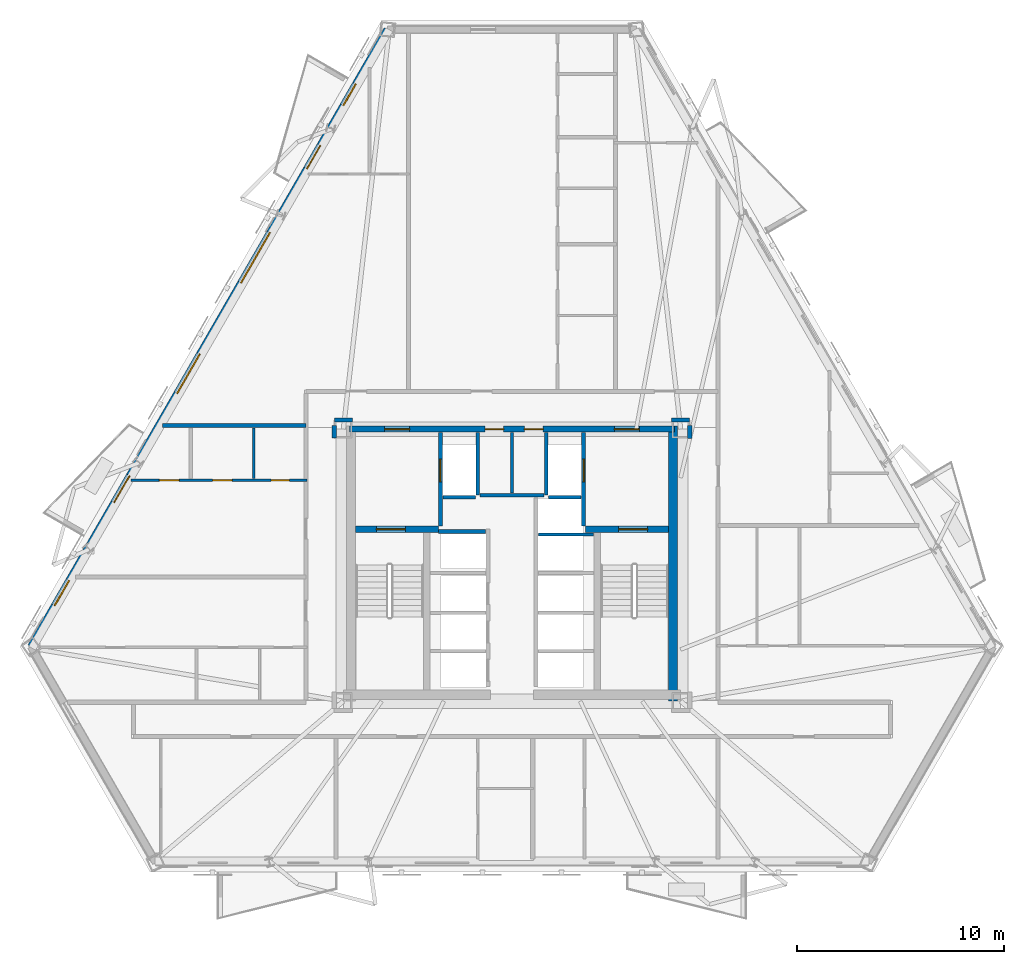
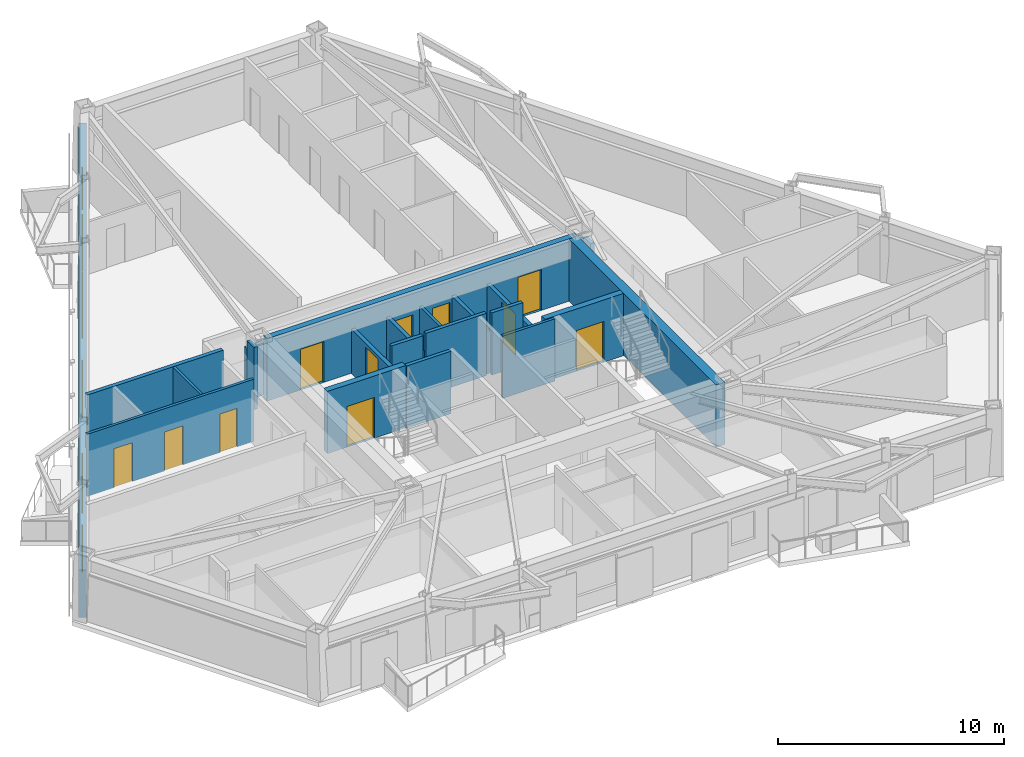
# One storey, part 4 of 10: 22 walls, 13 doors, 4 windows, 17 openings.
"""IFC4 building model written with IfcOpenShell, lengths in metres."""

import ifcopenshell
import ifcopenshell.guid

model = None  # the IFC model being written
_history = None  # IfcOwnerHistory: only IFC2X3 demands one
_inside = {}  # id of a spatial element -> (the spatial element, [elements in it])
_under = {}  # id of a project, library or spatial element -> (it, [spatial elements below it])
_declared = {}  # id of a project -> (the project, [libraries it declares])
_typed = {}  # id of a type object -> (the type object, [elements of that type])
_made_of = {}  # id of a material, layer set ... -> (it, [elements and type objects made of it])


def new_model(schema):
    """Start an empty IFC model of exactly this schema.

    Asked for "IFC4X3", IfcOpenShell would pick the latest addendum, in which some entities
    have other attributes; the version numbers below select the first issue.
    IFC2X3 requires an IfcOwnerHistory on every rooted entity: one is made here for all.
    """
    global model, _history
    if schema == "IFC4X3":
        model = ifcopenshell.file(schema_version=(4, 3, 0, 0))
    else:
        model = ifcopenshell.file(schema=schema)
    _inside.clear()
    _under.clear()
    _declared.clear()
    _typed.clear()
    _made_of.clear()
    _history = None
    if model.schema == "IFC2X3":
        org = make("IfcOrganization", Name="unknown")
        user = make(
            "IfcPersonAndOrganization",
            ThePerson=make("IfcPerson", FamilyName="unknown"),
            TheOrganization=org,
        )
        app = make(
            "IfcApplication",
            ApplicationDeveloper=org,
            Version="unknown",
            ApplicationFullName="unknown",
            ApplicationIdentifier="unknown",
        )
        _history = make(
            "IfcOwnerHistory",
            OwningUser=user,
            OwningApplication=app,
            ChangeAction="ADDED",
            CreationDate=0,
        )
    return model


def make(cls, **values):
    """One entity of the class cls with the attributes given. An attribute that is None is left unset."""
    return model.create_entity(
        cls, **{name: value for name, value in values.items() if value is not None}
    )


def rooted(cls, **values):
    """An entity with a GlobalId (a new one), such as an element, a storey or a relation."""
    return make(cls, GlobalId=ifcopenshell.guid.new(), OwnerHistory=_history, **values)


def si_unit(unit_type, name, prefix=None):
    """IfcSIUnit, for example si_unit("LENGTHUNIT", "METRE", prefix="MILLI")."""
    return make("IfcSIUnit", UnitType=unit_type, Prefix=prefix, Name=name)


def assignment(units):
    """IfcUnitAssignment: the units of a project."""
    return None if units is None else make("IfcUnitAssignment", Units=units)


def point(xyz):
    """IfcCartesianPoint."""
    return None if xyz is None else make("IfcCartesianPoint", Coordinates=xyz)


def direction(xyz):
    """IfcDirection."""
    return None if xyz is None else make("IfcDirection", DirectionRatios=xyz)


def frame(location, z_axis=None, x_axis=None):
    """IfcAxis2Placement3D, a coordinate frame: its origin and axes. An axis left out is left unset."""
    return make(
        "IfcAxis2Placement3D",
        Location=point(location),
        Axis=direction(z_axis),
        RefDirection=direction(x_axis),
    )


def frame_2d(location, x_axis=None):
    """IfcAxis2Placement2D, a coordinate frame in the plane: its origin and x axis."""
    return make(
        "IfcAxis2Placement2D", Location=point(location), RefDirection=direction(x_axis)
    )


def origin():
    """The frame at (0, 0, 0) with its axes left unset."""
    return frame((0.0, 0.0, 0.0))


def place(relative_to, where):
    """IfcLocalPlacement: puts the frame where relative to a parent placement (None: the world)."""
    return make(
        "IfcLocalPlacement", PlacementRelTo=relative_to, RelativePlacement=where
    )


def context(
    kind, dimensions, precision=None, world=None, true_north=None, identifier=None
):
    """IfcGeometricRepresentationContext, for example the 3D "Model" context."""
    return make(
        "IfcGeometricRepresentationContext",
        ContextIdentifier=identifier,
        ContextType=kind,
        CoordinateSpaceDimension=dimensions,
        Precision=precision,
        WorldCoordinateSystem=world,
        TrueNorth=true_north,
    )


def subcontext(parent, identifier, kind, view, scale=None):
    """IfcGeometricRepresentationSubContext, for example "Body" below "Model"."""
    return make(
        "IfcGeometricRepresentationSubContext",
        ContextIdentifier=identifier,
        ContextType=kind,
        ParentContext=parent,
        TargetScale=scale,
        TargetView=view,
    )


def project(units=None, contexts=None):
    """IfcProject with its units and contexts."""
    return rooted(
        "IfcProject",
        Name="project",
        RepresentationContexts=contexts,
        UnitsInContext=assignment(units),
    )


def spatial(cls, under=None, at=None, **own):
    """A site, building, storey or space (cls), placed at a placement, below another one or the project."""
    s = rooted(cls, ObjectPlacement=at, **own)
    if under is not None:
        _under.setdefault(under.id(), (under, []))[1].append(s)
    return s


def profile(cls, at=None, kind="AREA", **sizes):
    """A parametric profile (cls). Its sizes go by their IFC names, for example OverallWidth=200.0."""
    return make(cls, ProfileType=kind, Position=at, **sizes)


def rectangle(**sizes):
    """IfcRectangleProfileDef."""
    return profile("IfcRectangleProfileDef", **sizes)


def extrude(swept, where, along, depth):
    """IfcExtrudedAreaSolid: the profile swept, set in the frame where, extruded along a direction by depth."""
    return make(
        "IfcExtrudedAreaSolid",
        SweptArea=swept,
        Position=where,
        ExtrudedDirection=direction(along),
        Depth=depth,
    )


def shape(context_of_items, identifier, shape_type, items):
    """IfcShapeRepresentation: the items that make up one representation, for example the "Body"."""
    return make(
        "IfcShapeRepresentation",
        ContextOfItems=context_of_items,
        RepresentationIdentifier=identifier,
        RepresentationType=shape_type,
        Items=items,
    )


def material(Name=None, Category=None):
    """IfcMaterial."""
    return make("IfcMaterial", Name=Name, Category=Category)


def layer(
    of_material, thickness, ventilated=None, Name=None, Category=None, Priority=None
):
    """IfcMaterialLayer: one layer of a wall or slab, of a material (None: an air gap)."""
    return make(
        "IfcMaterialLayer",
        Material=of_material,
        LayerThickness=thickness,
        IsVentilated=ventilated,
        Name=Name,
        Category=Category,
        Priority=Priority,
    )


def layer_set(layers, Name=None):
    """IfcMaterialLayerSet."""
    return make("IfcMaterialLayerSet", MaterialLayers=layers, LayerSetName=Name)


def made_of(thing, what):
    """Note that an element or type object is made of a material, layer set ...; save() writes the relation."""
    if what is not None:
        _made_of.setdefault(what.id(), (what, []))[1].append(thing)
    return thing


def type_object(cls, material=None, **own):
    """A type object (cls), such as IfcWallType, which elements share."""
    return made_of(rooted(cls, **own), material)


def element(
    cls,
    number,
    at=None,
    inside=None,
    cuts=None,
    type_object=None,
    material=None,
    context=None,
    identifier="Body",
    shape_type=None,
    held_by="IfcProductDefinitionShape",
    body=None,
    shapes=None,
    **own,
):
    """One element of the class cls, such as IfcWall. Its Tag is "e" and its number.

    at: its placement. inside: the storey or other place that contains it. cuts: it is an
    opening in that element (IfcRelVoidsElement). A single representation is given by context,
    identifier, shape_type and body (its items); several are given by shapes. held_by: the class
    of the entity that holds the representations. save() writes the other relations.
    """
    e = rooted(cls, Tag="e%d" % number, ObjectPlacement=at, **own)
    if body is not None:
        shapes = [shape(context, identifier, shape_type, body)]
    if shapes is not None:
        e.Representation = make(held_by, Representations=shapes)
    if inside is not None:
        _inside.setdefault(inside.id(), (inside, []))[1].append(e)
    if cuts is not None:
        rooted(
            "IfcRelVoidsElement", RelatingBuildingElement=cuts, RelatedOpeningElement=e
        )
    if type_object is not None:
        _typed.setdefault(type_object.id(), (type_object, []))[1].append(e)
    return made_of(e, material)


def fill(opening, filler):
    """IfcRelFillsElement: the door or window that sits in an opening."""
    return rooted(
        "IfcRelFillsElement",
        RelatingOpeningElement=opening,
        RelatedBuildingElement=filler,
    )


def aggregate(whole, parts):
    """IfcRelAggregates: a whole, such as a stair, and the parts it consists of."""
    return rooted("IfcRelAggregates", RelatingObject=whole, RelatedObjects=parts)


def save(model, path):
    """Write the relations noted so far, then the file.

    IfcRelAggregates (storeys below a building ...), IfcRelContainedInSpatialStructure (elements
    in a storey), IfcRelDefinesByType, IfcRelAssociatesMaterial and IfcRelDeclares: one each for
    every whole, place, type object, material and project.
    """
    for whole, parts in _under.values():
        aggregate(whole, parts)
    for where, things in _inside.values():
        rooted(
            "IfcRelContainedInSpatialStructure",
            RelatedElements=things,
            RelatingStructure=where,
        )
    for kind, things in _typed.values():
        rooted("IfcRelDefinesByType", RelatedObjects=things, RelatingType=kind)
    for what, things in _made_of.values():
        rooted("IfcRelAssociatesMaterial", RelatedObjects=things, RelatingMaterial=what)
    for by, libraries in _declared.values():
        rooted("IfcRelDeclares", RelatingContext=by, RelatedDefinitions=libraries)
    model.write(path)


model = new_model("IFC4")

# Units and contexts
model_context = context("Model", 3, precision=1e-05, world=origin(), true_north=direction((0.0, 1.0)))
body_context = subcontext(model_context, "Body", "Model", "MODEL_VIEW")
ifc_project = project(units=[si_unit("LENGTHUNIT", "METRE"), si_unit("AREAUNIT", "SQUARE_METRE"), si_unit("VOLUMEUNIT", "CUBIC_METRE"), si_unit("PLANEANGLEUNIT", "RADIAN"), si_unit("MASSUNIT", "GRAM", prefix="KILO")], contexts=[model_context])

# Site, building, storey
site_placement = place(None, origin())
site = spatial("IfcSite", under=ifc_project, at=site_placement, CompositionType="ELEMENT")
building_placement = place(site_placement, origin())
building = spatial("IfcBuilding", under=site, at=building_placement, Name="Oramaril Tower", CompositionType="ELEMENT")
storey_placement = place(building_placement, frame((0.0, 0.0, 96.89990234375)))
storey = spatial("IfcBuildingStorey", under=building, at=storey_placement, Name="L25", CompositionType="ELEMENT", Elevation=96.89990234375)

# Wall, openings, doors, windows
ifc_material_1 = material(Name="Warm Cream Limestone", Category="masonry")
ifc_layer_1 = layer(ifc_material_1, 0.340087890625)
ifc_layer_set_1 = layer_set([ifc_layer_1], Name="WT-EXT34")
wall_type_1 = type_object("IfcWallType", Name="WT-EXT34", PredefinedType="SOLIDWALL", material=ifc_layer_set_1)
wall_1_placement = place(storey_placement, frame((31.47216796875, 43.46240234375, 0.0), z_axis=(0.0, 0.0, 1.0), x_axis=(-0.499995749028, -0.86602785807, 0.0)))
wall_1 = element("IfcWall", 1, at=wall_1_placement, inside=storey, type_object=wall_type_1, Name="L25 Tower Limestone Facade Wall 6M", PredefinedType="SOLIDWALL", context=body_context, shape_type="SweptSolid", body=[
    extrude(rectangle(XDim=34.436767578125, YDim=0.340087890625, at=frame_2d((17.21826171875, 0.0))), origin(), (0.0, 0.0, 1.0), 2.578125),
])
opening_1_placement = place(wall_1_placement, frame((6.469482421875, 0.0, 0.0)))
opening_1 = element("IfcOpeningElement", 2, at=opening_1_placement, cuts=wall_1, Name="Opening D-L25-BAL-NW1", PredefinedType="OPENING", context=body_context, shape_type="SweptSolid", body=[
    extrude(rectangle(XDim=1.300048828125, YDim=2.199951171875, at=frame_2d((0.64990234375, 1.10009765625))), frame((0.0, 0.169921875, 0.0), z_axis=(0.0, -1.0, 0.0), x_axis=(1.0, 0.0, 0.0)), (0.0, 0.0, 1.0), 0.340087890625),
])
opening_2_placement = place(wall_1_placement, frame((24.90234375, 0.0, 0.0)))
opening_2 = element("IfcOpeningElement", 3, at=opening_2_placement, cuts=wall_1, Name="Opening D-L25-BAL-NW2", PredefinedType="OPENING", context=body_context, shape_type="SweptSolid", body=[
    extrude(rectangle(XDim=1.5, YDim=2.199951171875, at=frame_2d((0.75, 1.10009765625))), frame((0.0, 0.169921875, 0.0), z_axis=(0.0, -1.0, 0.0), x_axis=(1.0, 0.0, 0.0)), (0.0, 0.0, 1.0), 0.340087890625),
])
opening_3_placement = place(wall_1_placement, frame((30.750244140625, 0.0, 0.85009765625)))
opening_3 = element("IfcOpeningElement", 4, at=opening_3_placement, cuts=wall_1, Name="Opening WN-08", PredefinedType="OPENING", context=body_context, shape_type="SweptSolid", body=[
    extrude(rectangle(XDim=1.39990234375, YDim=1.60009765625, at=frame_2d((0.699951171875, 0.800048828125))), frame((0.0, 0.169921875, 0.0), z_axis=(0.0, -1.0, 0.0), x_axis=(1.0, 0.0, 0.0)), (0.0, 0.0, 1.0), 0.340087890625),
])
opening_4_placement = place(wall_1_placement, frame((11.337158203125, 0.0, 0.85009765625)))
opening_4 = element("IfcOpeningElement", 5, at=opening_4_placement, cuts=wall_1, Name="Opening WN-01", PredefinedType="OPENING", context=body_context, shape_type="SweptSolid", body=[
    extrude(rectangle(XDim=2.800048828125, YDim=1.617919921875, at=frame_2d((1.39990234375, 0.80908203125))), frame((0.0, 0.169921875, 0.0), z_axis=(0.0, -1.0, 0.0), x_axis=(1.0, 0.0, 0.0)), (0.0, 0.0, 1.0), 0.340087890625),
])
opening_5_placement = place(wall_1_placement, frame((18.111328125, 0.0, 0.85009765625)))
opening_5 = element("IfcOpeningElement", 6, at=opening_5_placement, cuts=wall_1, Name="Opening WN-04", PredefinedType="OPENING", context=body_context, shape_type="SweptSolid", body=[
    extrude(rectangle(XDim=2.199951171875, YDim=1.617919921875, at=frame_2d((1.10009765625, 0.80908203125))), frame((0.0, 0.169921875, 0.0), z_axis=(0.0, -1.0, 0.0), x_axis=(1.0, 0.0, 0.0)), (0.0, 0.0, 1.0), 0.340087890625),
])
opening_6_placement = place(wall_1_placement, frame((3.043701171875, 0.0, 0.85009765625)))
opening_6 = element("IfcOpeningElement", 7, at=opening_6_placement, cuts=wall_1, Name="Opening WN-09", PredefinedType="OPENING", context=body_context, shape_type="SweptSolid", body=[
    extrude(rectangle(XDim=1.199951171875, YDim=1.47998046875, at=frame_2d((0.60009765625, 0.739990234375))), frame((0.0, 0.169921875, 0.0), z_axis=(0.0, -1.0, 0.0), x_axis=(1.0, 0.0, 0.0)), (0.0, 0.0, 1.0), 0.340087890625),
])
ifc_material_2 = material(Name="Anodised Aluminium 6063-T6", Category="aluminium")
door_type_1 = type_object("IfcDoorType", Name="DT-BAL", OperationType="NOTDEFINED", PredefinedType="DOOR", material=ifc_material_2)
door_1_placement = place(opening_2_placement, origin())
door_1 = element("IfcDoor", 8, at=door_1_placement, inside=storey, type_object=door_type_1, Name="L25 Balcony Glazed Door L25-BAL-NW2", OperationType="SINGLE_SWING_LEFT", OverallHeight=2.199951171875, OverallWidth=1.5, PredefinedType="DOOR", context=body_context, shape_type="SweptSolid", body=[
    extrude(rectangle(XDim=1.5, YDim=2.199951171875, at=frame_2d((0.75, 1.10009765625))), frame((0.0, 0.02490234375, 0.0), z_axis=(0.0, -1.0, 0.0), x_axis=(1.0, 0.0, 0.0)), (0.0, 0.0, 1.0), 0.050048828125),
])
fill(opening_2, door_1)
ifc_material_3 = material(Name="Anodised Aluminium 6063-T6", Category="aluminium")
door_type_2 = type_object("IfcDoorType", Name="DT-E2", OperationType="NOTDEFINED", PredefinedType="DOOR", material=ifc_material_3)
door_2_placement = place(opening_1_placement, origin())
door_2 = element("IfcDoor", 9, at=door_2_placement, inside=storey, type_object=door_type_2, Name="L25 Balcony Glazed Door L25-BAL-NW1", OperationType="SINGLE_SWING_RIGHT", OverallHeight=2.199951171875, OverallWidth=1.300048828125, PredefinedType="DOOR", context=body_context, shape_type="SweptSolid", body=[
    extrude(rectangle(XDim=1.300048828125, YDim=2.199951171875, at=frame_2d((0.64990234375, 1.10009765625))), frame((0.0, 0.02490234375, 0.0), z_axis=(0.0, -1.0, 0.0), x_axis=(1.0, 0.0, 0.0)), (0.0, 0.0, 1.0), 0.050048828125),
])
fill(opening_1, door_2)
ifc_material_4 = material(Name="Coastal Low-E Insulated Glass", Category="glass")
window_type_1 = type_object("IfcWindowType", Name="WNT-01", PartitioningType="SINGLE_PANEL", PredefinedType="WINDOW", material=ifc_material_4)
window_1_placement = place(opening_4_placement, origin())
window_1 = element("IfcWindow", 10, at=window_1_placement, inside=storey, type_object=window_type_1, Name="L25 Chicago Bay Window WN-01", OverallHeight=1.617919921875, OverallWidth=2.800048828125, PartitioningType="SINGLE_PANEL", PredefinedType="WINDOW", context=body_context, shape_type="SweptSolid", body=[
    extrude(rectangle(XDim=2.800048828125, YDim=1.617919921875, at=frame_2d((1.39990234375, 0.80908203125))), frame((0.0, 0.030029296875, 0.0), z_axis=(0.0, -1.0, 0.0), x_axis=(1.0, 0.0, 0.0)), (0.0, 0.0, 1.0), 0.06005859375),
])
fill(opening_4, window_1)
ifc_material_5 = material(Name="Coastal Low-E Insulated Glass", Category="glass")
window_type_2 = type_object("IfcWindowType", Name="WNT-04", PartitioningType="SINGLE_PANEL", PredefinedType="WINDOW", material=ifc_material_5)
window_2_placement = place(opening_5_placement, origin())
window_2 = element("IfcWindow", 11, at=window_2_placement, inside=storey, type_object=window_type_2, Name="L25 Chicago Bay Window WN-04", OverallHeight=1.617919921875, OverallWidth=2.199951171875, PartitioningType="SINGLE_PANEL", PredefinedType="WINDOW", context=body_context, shape_type="SweptSolid", body=[
    extrude(rectangle(XDim=2.199951171875, YDim=1.617919921875, at=frame_2d((1.10009765625, 0.80908203125))), frame((0.0, 0.030029296875, 0.0), z_axis=(0.0, -1.0, 0.0), x_axis=(1.0, 0.0, 0.0)), (0.0, 0.0, 1.0), 0.06005859375),
])
fill(opening_5, window_2)
ifc_material_6 = material(Name="Coastal Low-E Insulated Glass", Category="glass")
window_type_3 = type_object("IfcWindowType", Name="WNT-08", PartitioningType="SINGLE_PANEL", PredefinedType="WINDOW", material=ifc_material_6)
window_3_placement = place(opening_3_placement, origin())
window_3 = element("IfcWindow", 12, at=window_3_placement, inside=storey, type_object=window_type_3, Name="L25 Chicago Bay Window WN-08", OverallHeight=1.60009765625, OverallWidth=1.39990234375, PartitioningType="SINGLE_PANEL", PredefinedType="WINDOW", context=body_context, shape_type="SweptSolid", body=[
    extrude(rectangle(XDim=1.39990234375, YDim=1.60009765625, at=frame_2d((0.699951171875, 0.800048828125))), frame((0.0, 0.030029296875, 0.0), z_axis=(0.0, -1.0, 0.0), x_axis=(1.0, 0.0, 0.0)), (0.0, 0.0, 1.0), 0.06005859375),
])
fill(opening_3, window_3)
ifc_material_7 = material(Name="Coastal Low-E Insulated Glass", Category="glass")
window_type_4 = type_object("IfcWindowType", Name="WNT-09", PartitioningType="SINGLE_PANEL", PredefinedType="WINDOW", material=ifc_material_7)
window_4_placement = place(opening_6_placement, origin())
window_4 = element("IfcWindow", 13, at=window_4_placement, inside=storey, type_object=window_type_4, Name="L25 Chicago Bay Window WN-09", OverallHeight=1.47998046875, OverallWidth=1.199951171875, PartitioningType="SINGLE_PANEL", PredefinedType="WINDOW", context=body_context, shape_type="SweptSolid", body=[
    extrude(rectangle(XDim=1.199951171875, YDim=1.47998046875, at=frame_2d((0.60009765625, 0.739990234375))), frame((0.0, 0.030029296875, 0.0), z_axis=(0.0, -1.0, 0.0), x_axis=(1.0, 0.0, 0.0)), (0.0, 0.0, 1.0), 0.06005859375),
])
fill(opening_6, window_4)

# Walls
ifc_material_8 = material(Name="Acoustic Gypsum Board Partition")
ifc_layer_2 = layer(ifc_material_8, 0.1201171875)
ifc_layer_set_2 = layer_set([ifc_layer_2], Name="WT-PT12")
wall_type_2 = type_object("IfcWallType", Name="WT-PT12", PredefinedType="PARTITIONING", material=ifc_layer_set_2)
wall_2_placement = place(storey_placement, frame((25.030029296875, 21.75390625, 0.0), z_axis=(0.0, 0.0, 1.0), x_axis=(0.0, 1.0, 0.0)))
element("IfcWall", 14, at=wall_2_placement, inside=storey, type_object=wall_type_2, Name="L25 Interior Partition PT-12", PredefinedType="PARTITIONING", context=body_context, shape_type="SweptSolid", body=[
    extrude(rectangle(XDim=2.462158203125, YDim=0.1201171875, at=frame_2d((1.23095703125, 0.0))), origin(), (0.0, 0.0, 1.0), 3.360107421875),
])
ifc_material_9 = material(Name="Acoustic Gypsum Board Partition")
ifc_layer_3 = layer(ifc_material_9, 0.139892578125)
ifc_layer_set_3 = layer_set([ifc_layer_3], Name="WT-PT14")
wall_type_3 = type_object("IfcWallType", Name="WT-PT14", PredefinedType="PARTITIONING", material=ifc_layer_set_3)
wall_3_placement = place(storey_placement, frame((38.780029296875, 19.050048828125, 0.0), z_axis=(0.0, 0.0, 1.0), x_axis=(1.0, 0.0, 0.0)))
element("IfcWall", 15, at=wall_3_placement, inside=storey, type_object=wall_type_3, Name="L25 East Lift Divider", PredefinedType="PARTITIONING", context=body_context, shape_type="SweptSolid", body=[
    extrude(rectangle(XDim=2.659912109375, YDim=0.139892578125, at=frame_2d((1.330078125, 0.0))), origin(), (0.0, 0.0, 1.0), 3.360107421875),
])
wall_4_placement = place(storey_placement, frame((37.5, 21.06005859375, 0.0), z_axis=(0.0, 0.0, 1.0), x_axis=(0.0, 1.0, 0.0)))
element("IfcWall", 16, at=wall_4_placement, inside=storey, type_object=wall_type_3, Name="L25 Core Service Divider", PredefinedType="PARTITIONING", context=body_context, shape_type="SweptSolid", body=[
    extrude(rectangle(XDim=2.919921875, YDim=0.139892578125, at=frame_2d((1.4599609375, 0.0))), origin(), (0.0, 0.0, 1.0), 2.400146484375),
])

# Wall, openings, doors
wall_5_placement = place(storey_placement, frame((19.09716796875, 21.679931640625, 0.0), z_axis=(0.0, 0.0, 1.0), x_axis=(1.0, 0.0, 0.0)))
wall_5 = element("IfcWall", 17, at=wall_5_placement, inside=storey, type_object=wall_type_3, Name="L25 Interior Partition PT-14", PredefinedType="PARTITIONING", context=body_context, shape_type="SweptSolid", body=[
    extrude(rectangle(XDim=8.5029296875, YDim=0.139892578125, at=frame_2d((4.25146484375, 0.0))), origin(), (0.0, 0.0, 1.0), 3.360107421875),
])
opening_7_placement = place(wall_5_placement, frame((1.363525390625, 0.0, 0.0)))
opening_7 = element("IfcOpeningElement", 18, at=opening_7_placement, cuts=wall_5, Name="Opening D-L25-11", PredefinedType="OPENING", context=body_context, shape_type="SweptSolid", body=[
    extrude(rectangle(XDim=0.949951171875, YDim=2.10009765625, at=frame_2d((0.47509765625, 1.050048828125))), frame((0.0, 0.06982421875, 0.0), z_axis=(0.0, -1.0, 0.0), x_axis=(1.0, 0.0, 0.0)), (0.0, 0.0, 1.0), 0.139892578125),
])
opening_8_placement = place(wall_5_placement, frame((3.932861328125, 0.0, 0.0)))
opening_8 = element("IfcOpeningElement", 19, at=opening_8_placement, cuts=wall_5, Name="Opening D-L25-12", PredefinedType="OPENING", context=body_context, shape_type="SweptSolid", body=[
    extrude(rectangle(XDim=0.949951171875, YDim=2.10009765625, at=frame_2d((0.47509765625, 1.050048828125))), frame((0.0, 0.06982421875, 0.0), z_axis=(0.0, -1.0, 0.0), x_axis=(1.0, 0.0, 0.0)), (0.0, 0.0, 1.0), 0.139892578125),
])
opening_9_placement = place(wall_5_placement, frame((6.767822265625, 0.0, 0.0)))
opening_9 = element("IfcOpeningElement", 20, at=opening_9_placement, cuts=wall_5, Name="Opening D-L25-13", PredefinedType="OPENING", context=body_context, shape_type="SweptSolid", body=[
    extrude(rectangle(XDim=0.8798828125, YDim=2.080078125, at=frame_2d((0.43994140625, 1.0400390625))), frame((0.0, 0.06982421875, 0.0), z_axis=(0.0, -1.0, 0.0), x_axis=(1.0, 0.0, 0.0)), (0.0, 0.0, 1.0), 0.139892578125),
])
ifc_material_10 = material(Name="FSC Brazilian Freijo Hardwood", Category="wood")
door_type_3 = type_object("IfcDoorType", Name="DT-BATH", OperationType="NOTDEFINED", PredefinedType="DOOR", material=ifc_material_10)
door_3_placement = place(opening_9_placement, origin())
door_3 = element("IfcDoor", 21, at=door_3_placement, inside=storey, type_object=door_type_3, Name="L25 Flat L25-U5 Bathroom Door D-L25-13", OperationType="SINGLE_SWING_LEFT", OverallHeight=2.080078125, OverallWidth=0.8798828125, PredefinedType="DOOR", context=body_context, shape_type="SweptSolid", body=[
    extrude(rectangle(XDim=0.8798828125, YDim=2.080078125, at=frame_2d((0.43994140625, 1.0400390625))), frame((0.0, 0.02490234375, 0.0), z_axis=(0.0, -1.0, 0.0), x_axis=(1.0, 0.0, 0.0)), (0.0, 0.0, 1.0), 0.050048828125),
])
fill(opening_9, door_3)
ifc_material_11 = material(Name="FSC Brazilian Freijo Hardwood", Category="wood")
door_type_4 = type_object("IfcDoorType", Name="DT-STDY", OperationType="NOTDEFINED", PredefinedType="DOOR", material=ifc_material_11)
door_4_placement = place(opening_7_placement, origin())
door_4 = element("IfcDoor", 22, at=door_4_placement, inside=storey, type_object=door_type_4, Name="L25 Flat L25-U5 Breakfast Dining Room Door D-L25-11", OperationType="SINGLE_SWING_LEFT", OverallHeight=2.10009765625, OverallWidth=0.949951171875, PredefinedType="DOOR", context=body_context, shape_type="SweptSolid", body=[
    extrude(rectangle(XDim=0.949951171875, YDim=2.10009765625, at=frame_2d((0.47509765625, 1.050048828125))), frame((0.0, 0.02490234375, 0.0), z_axis=(0.0, -1.0, 0.0), x_axis=(1.0, 0.0, 0.0)), (0.0, 0.0, 1.0), 0.050048828125),
])
fill(opening_7, door_4)
door_5_placement = place(opening_8_placement, origin())
door_5 = element("IfcDoor", 23, at=door_5_placement, inside=storey, type_object=door_type_4, Name="L25 Flat L25-U5 Kitchen Door D-L25-12", OperationType="SINGLE_SWING_RIGHT", OverallHeight=2.10009765625, OverallWidth=0.949951171875, PredefinedType="DOOR", context=body_context, shape_type="SweptSolid", body=[
    extrude(rectangle(XDim=0.949951171875, YDim=2.10009765625, at=frame_2d((0.47509765625, 1.050048828125))), frame((0.0, 0.02490234375, 0.0), z_axis=(0.0, -1.0, 0.0), x_axis=(1.0, 0.0, 0.0)), (0.0, 0.0, 1.0), 0.050048828125),
])
fill(opening_8, door_5)

# Walls
ifc_material_12 = material(Name="Autoclaved Cellular Concrete Block", Category="concrete")
ifc_layer_4 = layer(ifc_material_12, 0.179931640625)
ifc_layer_set_4 = layer_set([ifc_layer_4], Name="WT-PT18")
wall_type_4 = type_object("IfcWallType", Name="WT-PT18", PredefinedType="PARTITIONING", material=ifc_layer_set_4)
wall_6_placement = place(storey_placement, frame((35.840087890625, 20.9599609375, 0.0), z_axis=(0.0, 0.0, 1.0), x_axis=(0.0, 1.0, 0.0)))
element("IfcWall", 24, at=wall_6_placement, inside=storey, type_object=wall_type_4, Name="L25 FL-1 East Shaft Wall", PredefinedType="PARTITIONING", context=body_context, shape_type="SweptSolid", body=[
    extrude(rectangle(XDim=3.02001953125, YDim=0.179931640625, at=frame_2d((1.510009765625, 0.0))), origin(), (0.0, 0.0, 1.0), 2.400146484375),
])
wall_7_placement = place(storey_placement, frame((34.159912109375, 20.860107421875, 0.0), z_axis=(0.0, 0.0, 1.0), x_axis=(1.0, 0.0, 0.0)))
element("IfcWall", 25, at=wall_7_placement, inside=storey, type_object=wall_type_4, Name="L25 FL-1 South Shaft Wall", PredefinedType="PARTITIONING", context=body_context, shape_type="SweptSolid", body=[
    extrude(rectangle(XDim=1.580078125, YDim=0.179931640625, at=frame_2d((0.7900390625, 0.0))), origin(), (0.0, 0.0, 1.0), 3.360107421875),
])
wall_8_placement = place(storey_placement, frame((39.159912109375, 20.9599609375, 0.0), z_axis=(0.0, 0.0, 1.0), x_axis=(0.0, 1.0, 0.0)))
element("IfcWall", 26, at=wall_8_placement, inside=storey, type_object=wall_type_4, Name="L25 FL-2 West Shaft Wall", PredefinedType="PARTITIONING", context=body_context, shape_type="SweptSolid", body=[
    extrude(rectangle(XDim=3.02001953125, YDim=0.179931640625, at=frame_2d((1.510009765625, 0.0))), origin(), (0.0, 0.0, 1.0), 2.400146484375),
])
wall_9_placement = place(storey_placement, frame((39.260009765625, 20.860107421875, 0.0), z_axis=(0.0, 0.0, 1.0), x_axis=(1.0, 0.0, 0.0)))
element("IfcWall", 27, at=wall_9_placement, inside=storey, type_object=wall_type_4, Name="L25 FL-2 South Shaft Wall", PredefinedType="PARTITIONING", context=body_context, shape_type="SweptSolid", body=[
    extrude(rectangle(XDim=1.580078125, YDim=0.179931640625, at=frame_2d((0.7900390625, 0.0))), origin(), (0.0, 0.0, 1.0), 3.360107421875),
])
wall_10_placement = place(storey_placement, frame((33.949951171875, 19.199951171875, 0.0), z_axis=(0.0, 0.0, 1.0), x_axis=(1.0, 0.0, 0.0)))
element("IfcWall", 28, at=wall_10_placement, inside=storey, type_object=wall_type_4, Name="L25 High-Rise Lift H1 North Shaft Wall", PredefinedType="PARTITIONING", context=body_context, shape_type="SweptSolid", body=[
    extrude(rectangle(XDim=2.27001953125, YDim=0.179931640625, at=frame_2d((1.135009765625, 0.0))), origin(), (0.0, 0.0, 1.0), 3.360107421875),
])
wall_11_placement = place(storey_placement, frame((35.949951171875, 20.949951171875, 0.0), z_axis=(0.0, 0.0, 1.0), x_axis=(1.0, 0.0, 0.0)))
element("IfcWall", 29, at=wall_11_placement, inside=storey, type_object=wall_type_4, Name="L25 Lift Lobby North Partition", PredefinedType="PARTITIONING", context=body_context, shape_type="SweptSolid", body=[
    extrude(rectangle(XDim=3.10009765625, YDim=0.179931640625, at=frame_2d((1.550048828125, 0.0))), origin(), (0.0, 0.0, 1.0), 3.360107421875),
])
ifc_material_13 = material(Name="Autoclaved Cellular Concrete Block", Category="concrete")
ifc_layer_5 = layer(ifc_material_13, 0.199951171875)
ifc_layer_set_5 = layer_set([ifc_layer_5], Name="WT-PT20")
wall_type_5 = type_object("IfcWallType", Name="WT-PT20", PredefinedType="PARTITIONING", material=ifc_layer_set_5)
wall_12_placement = place(storey_placement, frame((20.621337890625, 24.320068359375, 0.0), z_axis=(0.0, 0.0, 1.0), x_axis=(1.0, 0.0, 0.0)))
element("IfcWall", 30, at=wall_12_placement, inside=storey, type_object=wall_type_5, Name="L25 Interior Partition PT-20", PredefinedType="PARTITIONING", context=body_context, shape_type="SweptSolid", body=[
    extrude(rectangle(XDim=6.9287109375, YDim=0.199951171875, at=frame_2d((3.46435546875, 0.0))), origin(), (0.0, 0.0, 1.0), 3.360107421875),
])
for number, where, z_axis, x_axis, name in (
    (31, (28.909912109375, 24.590087890625, 0.0), (0.0, 0.0, 1.0), (1.0, 0.0, 0.0), "L25 Interior Partition PT-20"),
    (32, (45.2099609375, 24.590087890625, 0.0), (0.0, 0.0, 1.0), (1.0, 0.0, 0.0), "L25 Interior Partition PT-20"),
):
    element("IfcWall", number, at=place(storey_placement, frame(where, z_axis=z_axis, x_axis=x_axis)), inside=storey, type_object=wall_type_5, Name=name, PredefinedType="PARTITIONING", context=body_context, shape_type="SweptSolid", body=[
        extrude(rectangle(XDim=0.880126953125, YDim=0.199951171875, at=frame_2d((0.43994140625, 0.0))), origin(), (0.0, 0.0, 1.0), 2.814208984375),
    ])
wall_13_placement = place(storey_placement, frame((28.909912109375, 23.7099609375, 0.0), z_axis=(0.0, 0.0, 1.0), x_axis=(0.0, 1.0, 0.0)))
element("IfcWall", 33, at=wall_13_placement, inside=storey, type_object=wall_type_5, Name="L25 Interior Partition PT-20", PredefinedType="PARTITIONING", context=body_context, shape_type="SweptSolid", body=[
    extrude(rectangle(XDim=0.610107421875, YDim=0.199951171875, at=frame_2d((0.30517578125, 0.0))), origin(), (0.0, 0.0, 1.0), 3.360107421875),
])
wall_14_placement = place(storey_placement, frame((46.090087890625, 23.705078125, 0.0), z_axis=(0.0, 0.0, 1.0), x_axis=(0.0, 1.0, 0.0)))
element("IfcWall", 34, at=wall_14_placement, inside=storey, type_object=wall_type_5, Name="L25 Interior Partition PT-20", PredefinedType="PARTITIONING", context=body_context, shape_type="SweptSolid", body=[
    extrude(rectangle(XDim=0.614990234375, YDim=0.199951171875, at=frame_2d((0.3076171875, 0.0))), origin(), (0.0, 0.0, 1.0), 2.946044921875),
])

# Wall, openings, doors
ifc_material_14 = material(Name="Concrete C50/60", Category="concrete")
ifc_layer_6 = layer(ifc_material_14, 0.300048828125)
ifc_layer_set_6 = layer_set([ifc_layer_6], Name="WT-SH30")
wall_type_6 = type_object("IfcWallType", Name="WT-SH30", PredefinedType="SHEAR", material=ifc_layer_set_6)
wall_15_placement = place(storey_placement, frame((29.64990234375, 24.14990234375, 0.0), z_axis=(0.0, 0.0, 1.0), x_axis=(1.0, 0.0, 0.0)))
wall_15 = element("IfcWall", 35, at=wall_15_placement, inside=storey, type_object=wall_type_6, Name="L25 Core Shear Wall CW-N", PredefinedType="SHEAR", context=body_context, shape_type="SweptSolid", body=[
    extrude(rectangle(XDim=15.7001953125, YDim=0.300048828125, at=frame_2d((7.85009765625, 0.0))), origin(), (0.0, 0.0, 1.0), 3.360107421875),
])
opening_10_placement = place(wall_15_placement, frame((1.699951171875, 0.0, 0.0)))
opening_10 = element("IfcOpeningElement", 36, at=opening_10_placement, cuts=wall_15, Name="Opening D-L25-FFL1", PredefinedType="OPENING", context=body_context, shape_type="SweptSolid", body=[
    extrude(rectangle(XDim=1.199951171875, YDim=2.199951171875, at=frame_2d((0.60009765625, 1.10009765625))), frame((0.0, 0.14990234375, 0.0), z_axis=(0.0, -1.0, 0.0), x_axis=(1.0, 0.0, 0.0)), (0.0, 0.0, 1.0), 0.300048828125),
])
opening_11_placement = place(wall_15_placement, frame((12.800048828125, 0.0, 0.0)))
opening_11 = element("IfcOpeningElement", 37, at=opening_11_placement, cuts=wall_15, Name="Opening D-L25-FFL2", PredefinedType="OPENING", context=body_context, shape_type="SweptSolid", body=[
    extrude(rectangle(XDim=1.199951171875, YDim=2.199951171875, at=frame_2d((0.60009765625, 1.10009765625))), frame((0.0, 0.14990234375, 0.0), z_axis=(0.0, -1.0, 0.0), x_axis=(1.0, 0.0, 0.0)), (0.0, 0.0, 1.0), 0.300048828125),
])
opening_12_placement = place(wall_15_placement, frame((6.550048828125, 0.0, 0.0)))
opening_12 = element("IfcOpeningElement", 38, at=opening_12_placement, cuts=wall_15, Name="Opening D-L25-SV1", PredefinedType="OPENING", context=body_context, shape_type="SweptSolid", body=[
    extrude(rectangle(XDim=0.89990234375, YDim=2.050048828125, at=frame_2d((0.449951171875, 1.02490234375))), frame((0.0, 0.14990234375, 0.0), z_axis=(0.0, -1.0, 0.0), x_axis=(1.0, 0.0, 0.0)), (0.0, 0.0, 1.0), 0.300048828125),
])
opening_13_placement = place(wall_15_placement, frame((8.449951171875, 0.0, 0.0)))
opening_13 = element("IfcOpeningElement", 39, at=opening_13_placement, cuts=wall_15, Name="Opening D-L25-SV2", PredefinedType="OPENING", context=body_context, shape_type="SweptSolid", body=[
    extrude(rectangle(XDim=0.89990234375, YDim=2.050048828125, at=frame_2d((0.449951171875, 1.02490234375))), frame((0.0, 0.14990234375, 0.0), z_axis=(0.0, -1.0, 0.0), x_axis=(1.0, 0.0, 0.0)), (0.0, 0.0, 1.0), 0.300048828125),
])
ifc_material_15 = material(Name="Painted Galvanised Steel", Category="steel")
door_type_5 = type_object("IfcDoorType", Name="DT-FFL", OperationType="NOTDEFINED", PredefinedType="DOOR", material=ifc_material_15)
door_6_placement = place(opening_10_placement, origin())
door_6 = element("IfcDoor", 40, at=door_6_placement, inside=storey, type_object=door_type_5, Name="L25 Firefighting Lobby 1 Fire Door", OperationType="SINGLE_SWING_LEFT", OverallHeight=2.199951171875, OverallWidth=1.199951171875, PredefinedType="DOOR", context=body_context, shape_type="SweptSolid", body=[
    extrude(rectangle(XDim=1.199951171875, YDim=2.199951171875, at=frame_2d((0.60009765625, 1.10009765625))), frame((0.0, 0.02490234375, 0.0), z_axis=(0.0, -1.0, 0.0), x_axis=(1.0, 0.0, 0.0)), (0.0, 0.0, 1.0), 0.050048828125),
])
fill(opening_10, door_6)
door_7_placement = place(opening_11_placement, origin())
door_7 = element("IfcDoor", 41, at=door_7_placement, inside=storey, type_object=door_type_5, Name="L25 Firefighting Lobby 2 Fire Door", OperationType="SINGLE_SWING_RIGHT", OverallHeight=2.199951171875, OverallWidth=1.199951171875, PredefinedType="DOOR", context=body_context, shape_type="SweptSolid", body=[
    extrude(rectangle(XDim=1.199951171875, YDim=2.199951171875, at=frame_2d((0.60009765625, 1.10009765625))), frame((0.0, 0.02490234375, 0.0), z_axis=(0.0, -1.0, 0.0), x_axis=(1.0, 0.0, 0.0)), (0.0, 0.0, 1.0), 0.050048828125),
])
fill(opening_11, door_7)
ifc_material_16 = material(Name="Painted Galvanised Steel", Category="steel")
door_type_6 = type_object("IfcDoorType", Name="DT-SVC", OperationType="NOTDEFINED", PredefinedType="DOOR", material=ifc_material_16)
door_8_placement = place(opening_12_placement, origin())
door_8 = element("IfcDoor", 42, at=door_8_placement, inside=storey, type_object=door_type_6, Name="L25 Core Service Store 1 Door", OperationType="SINGLE_SWING_LEFT", OverallHeight=2.050048828125, OverallWidth=0.89990234375, PredefinedType="DOOR", context=body_context, shape_type="SweptSolid", body=[
    extrude(rectangle(XDim=0.89990234375, YDim=2.050048828125, at=frame_2d((0.449951171875, 1.02490234375))), frame((0.0, 0.02490234375, 0.0), z_axis=(0.0, -1.0, 0.0), x_axis=(1.0, 0.0, 0.0)), (0.0, 0.0, 1.0), 0.050048828125),
])
fill(opening_12, door_8)
door_9_placement = place(opening_13_placement, origin())
door_9 = element("IfcDoor", 43, at=door_9_placement, inside=storey, type_object=door_type_6, Name="L25 Core Service Store 2 Door", OperationType="SINGLE_SWING_RIGHT", OverallHeight=2.050048828125, OverallWidth=0.89990234375, PredefinedType="DOOR", context=body_context, shape_type="SweptSolid", body=[
    extrude(rectangle(XDim=0.89990234375, YDim=2.050048828125, at=frame_2d((0.449951171875, 1.02490234375))), frame((0.0, 0.02490234375, 0.0), z_axis=(0.0, -1.0, 0.0), x_axis=(1.0, 0.0, 0.0)), (0.0, 0.0, 1.0), 0.050048828125),
])
fill(opening_13, door_9)

# Wall, opening, door
wall_16_placement = place(storey_placement, frame((29.93994140625, 19.31005859375, 0.0), z_axis=(0.0, 0.0, 1.0), x_axis=(1.0, 0.0, 0.0)))
wall_16 = element("IfcWall", 44, at=wall_16_placement, inside=storey, type_object=wall_type_6, Name="L25 Core Shear Wall CW-ST1N", PredefinedType="SHEAR", context=body_context, shape_type="SweptSolid", body=[
    extrude(rectangle(XDim=4.010009765625, YDim=0.300048828125, at=frame_2d((2.0048828125, 0.0))), origin(), (0.0, 0.0, 1.0), 3.360107421875),
])
opening_14_placement = place(wall_16_placement, frame((1.010009765625, 0.0, 0.0)))
opening_14 = element("IfcOpeningElement", 45, at=opening_14_placement, cuts=wall_16, Name="Opening D-L25-ST1", PredefinedType="OPENING", context=body_context, shape_type="SweptSolid", body=[
    extrude(rectangle(XDim=1.39990234375, YDim=2.199951171875, at=frame_2d((0.699951171875, 1.10009765625))), frame((0.0, 0.14990234375, 0.0), z_axis=(0.0, -1.0, 0.0), x_axis=(1.0, 0.0, 0.0)), (0.0, 0.0, 1.0), 0.300048828125),
])
ifc_material_17 = material(Name="Painted Galvanised Steel", Category="steel")
door_type_7 = type_object("IfcDoorType", Name="DT-ST", OperationType="NOTDEFINED", PredefinedType="DOOR", material=ifc_material_17)
door_10_placement = place(opening_14_placement, origin())
door_10 = element("IfcDoor", 46, at=door_10_placement, inside=storey, type_object=door_type_7, Name="L25 Protected Stair ST-1 Fire Door", OperationType="SINGLE_SWING_LEFT", OverallHeight=2.199951171875, OverallWidth=1.39990234375, PredefinedType="DOOR", context=body_context, shape_type="SweptSolid", body=[
    extrude(rectangle(XDim=1.39990234375, YDim=2.199951171875, at=frame_2d((0.699951171875, 1.10009765625))), frame((0.0, 0.02490234375, 0.0), z_axis=(0.0, -1.0, 0.0), x_axis=(1.0, 0.0, 0.0)), (0.0, 0.0, 1.0), 0.050048828125),
])
fill(opening_14, door_10)

wall_17_placement = place(storey_placement, frame((41.050048828125, 19.31005859375, 0.0), z_axis=(0.0, 0.0, 1.0), x_axis=(1.0, 0.0, 0.0)))
wall_17 = element("IfcWall", 47, at=wall_17_placement, inside=storey, type_object=wall_type_6, Name="L25 Core Shear Wall CW-ST2N", PredefinedType="SHEAR", context=body_context, shape_type="SweptSolid", body=[
    extrude(rectangle(XDim=4.010009765625, YDim=0.300048828125, at=frame_2d((2.0048828125, 0.0))), origin(), (0.0, 0.0, 1.0), 3.360107421875),
])
opening_15_placement = place(wall_17_placement, frame((1.60009765625, 0.0, 0.0)))
opening_15 = element("IfcOpeningElement", 48, at=opening_15_placement, cuts=wall_17, Name="Opening D-L25-ST2", PredefinedType="OPENING", context=body_context, shape_type="SweptSolid", body=[
    extrude(rectangle(XDim=1.39990234375, YDim=2.199951171875, at=frame_2d((0.699951171875, 1.10009765625))), frame((0.0, 0.14990234375, 0.0), z_axis=(0.0, -1.0, 0.0), x_axis=(1.0, 0.0, 0.0)), (0.0, 0.0, 1.0), 0.300048828125),
])
door_11_placement = place(opening_15_placement, origin())
door_11 = element("IfcDoor", 49, at=door_11_placement, inside=storey, type_object=door_type_7, Name="L25 Protected Stair ST-2 Fire Door", OperationType="SINGLE_SWING_RIGHT", OverallHeight=2.199951171875, OverallWidth=1.39990234375, PredefinedType="DOOR", context=body_context, shape_type="SweptSolid", body=[
    extrude(rectangle(XDim=1.39990234375, YDim=2.199951171875, at=frame_2d((0.699951171875, 1.10009765625))), frame((0.0, 0.02490234375, 0.0), z_axis=(0.0, -1.0, 0.0), x_axis=(1.0, 0.0, 0.0)), (0.0, 0.0, 1.0), 0.050048828125),
])
fill(opening_15, door_11)

# Wall
ifc_material_18 = material(Name="Concrete C50/60", Category="concrete")
ifc_layer_7 = layer(ifc_material_18, 0.449951171875)
ifc_layer_set_7 = layer_set([ifc_layer_7], Name="WT-SH45")
wall_type_7 = type_object("IfcWallType", Name="WT-SH45", PredefinedType="SHEAR", material=ifc_layer_set_7)
wall_18_placement = place(storey_placement, frame((45.284912109375, 11.0, 0.0), z_axis=(0.0, 0.0, 1.0), x_axis=(0.0, 1.0, 0.0)))
element("IfcWall", 50, at=wall_18_placement, inside=storey, type_object=wall_type_7, Name="L25 Core Shear Wall CW-E", PredefinedType="SHEAR", context=body_context, shape_type="SweptSolid", body=[
    extrude(rectangle(XDim=13.300048828125, YDim=0.449951171875, at=frame_2d((6.64990234375, 0.0))), origin(), (0.0, 0.0, 1.0), 3.360107421875),
])

# Wall, opening, door
ifc_material_19 = material(Name="Autoclaved Cellular Concrete Block", Category="concrete")
ifc_layer_8 = layer(ifc_material_19, 0.199951171875)
ifc_layer_set_8 = layer_set([ifc_layer_8], Name="WT-SHF20")
wall_type_8 = type_object("IfcWallType", Name="WT-SHF20", PredefinedType="PARTITIONING", material=ifc_layer_set_8)
wall_19_placement = place(storey_placement, frame((34.0400390625, 19.47998046875, 0.0), z_axis=(0.0, 0.0, 1.0), x_axis=(0.0, 1.0, 0.0)))
wall_19 = element("IfcWall", 51, at=wall_19_placement, inside=storey, type_object=wall_type_8, Name="L25 FL-1 Lobby Shaft Wall", PredefinedType="PARTITIONING", context=body_context, shape_type="SweptSolid", body=[
    extrude(rectangle(XDim=4.5, YDim=0.199951171875, at=frame_2d((2.25, 0.0))), origin(), (0.0, 0.0, 1.0), 2.400146484375),
])
opening_16_placement = place(wall_19_placement, frame((2.1201171875, 0.0, 0.0)))
opening_16 = element("IfcOpeningElement", 52, at=opening_16_placement, cuts=wall_19, Name="Opening LD-L25-FL-1", PredefinedType="OPENING", context=body_context, shape_type="SweptSolid", body=[
    extrude(rectangle(XDim=1.10009765625, YDim=2.199951171875, at=frame_2d((0.550048828125, 1.10009765625))), frame((0.0, 0.10009765625, 0.0), z_axis=(0.0, -1.0, 0.0), x_axis=(1.0, 0.0, 0.0)), (0.0, 0.0, 1.0), 0.199951171875),
])
ifc_material_20 = material(Name="Stainless Steel 316L", Category="steel")
door_type_8 = type_object("IfcDoorType", Name="DT-LD1", OperationType="NOTDEFINED", PredefinedType="DOOR", material=ifc_material_20)
door_12_placement = place(opening_16_placement, origin())
door_12 = element("IfcDoor", 53, at=door_12_placement, inside=storey, type_object=door_type_8, Name="L25 Lift FL-1 Sliding Landing Door", OperationType="SLIDING_TO_LEFT", OverallHeight=2.199951171875, OverallWidth=1.10009765625, PredefinedType="DOOR", context=body_context, shape_type="SweptSolid", body=[
    extrude(rectangle(XDim=1.10009765625, YDim=2.199951171875, at=frame_2d((0.550048828125, 1.10009765625))), frame((0.0, 0.02490234375, 0.0), z_axis=(0.0, -1.0, 0.0), x_axis=(1.0, 0.0, 0.0)), (0.0, 0.0, 1.0), 0.050048828125),
])
fill(opening_16, door_12)

wall_20_placement = place(storey_placement, frame((40.9599609375, 19.47998046875, 0.0), z_axis=(0.0, 0.0, 1.0), x_axis=(0.0, 1.0, 0.0)))
wall_20 = element("IfcWall", 54, at=wall_20_placement, inside=storey, type_object=wall_type_8, Name="L25 FL-2 Lobby Shaft Wall", PredefinedType="PARTITIONING", context=body_context, shape_type="SweptSolid", body=[
    extrude(rectangle(XDim=4.5, YDim=0.199951171875, at=frame_2d((2.25, 0.0))), origin(), (0.0, 0.0, 1.0), 2.400146484375),
])
opening_17_placement = place(wall_20_placement, frame((2.1201171875, 0.0, 0.0)))
opening_17 = element("IfcOpeningElement", 55, at=opening_17_placement, cuts=wall_20, Name="Opening LD-L25-FL-2", PredefinedType="OPENING", context=body_context, shape_type="SweptSolid", body=[
    extrude(rectangle(XDim=1.10009765625, YDim=2.199951171875, at=frame_2d((0.550048828125, 1.10009765625))), frame((0.0, 0.10009765625, 0.0), z_axis=(0.0, -1.0, 0.0), x_axis=(1.0, 0.0, 0.0)), (0.0, 0.0, 1.0), 0.199951171875),
])
door_13_placement = place(opening_17_placement, origin())
door_13 = element("IfcDoor", 56, at=door_13_placement, inside=storey, type_object=door_type_8, Name="L25 Lift FL-2 Sliding Landing Door", OperationType="SLIDING_TO_RIGHT", OverallHeight=2.199951171875, OverallWidth=1.10009765625, PredefinedType="DOOR", context=body_context, shape_type="SweptSolid", body=[
    extrude(rectangle(XDim=1.10009765625, YDim=2.199951171875, at=frame_2d((0.550048828125, 1.10009765625))), frame((0.0, 0.02490234375, 0.0), z_axis=(0.0, -1.0, 0.0), x_axis=(1.0, 0.0, 0.0)), (0.0, 0.0, 1.0), 0.050048828125),
])
fill(opening_17, door_13)

save(model, "model.ifc")
